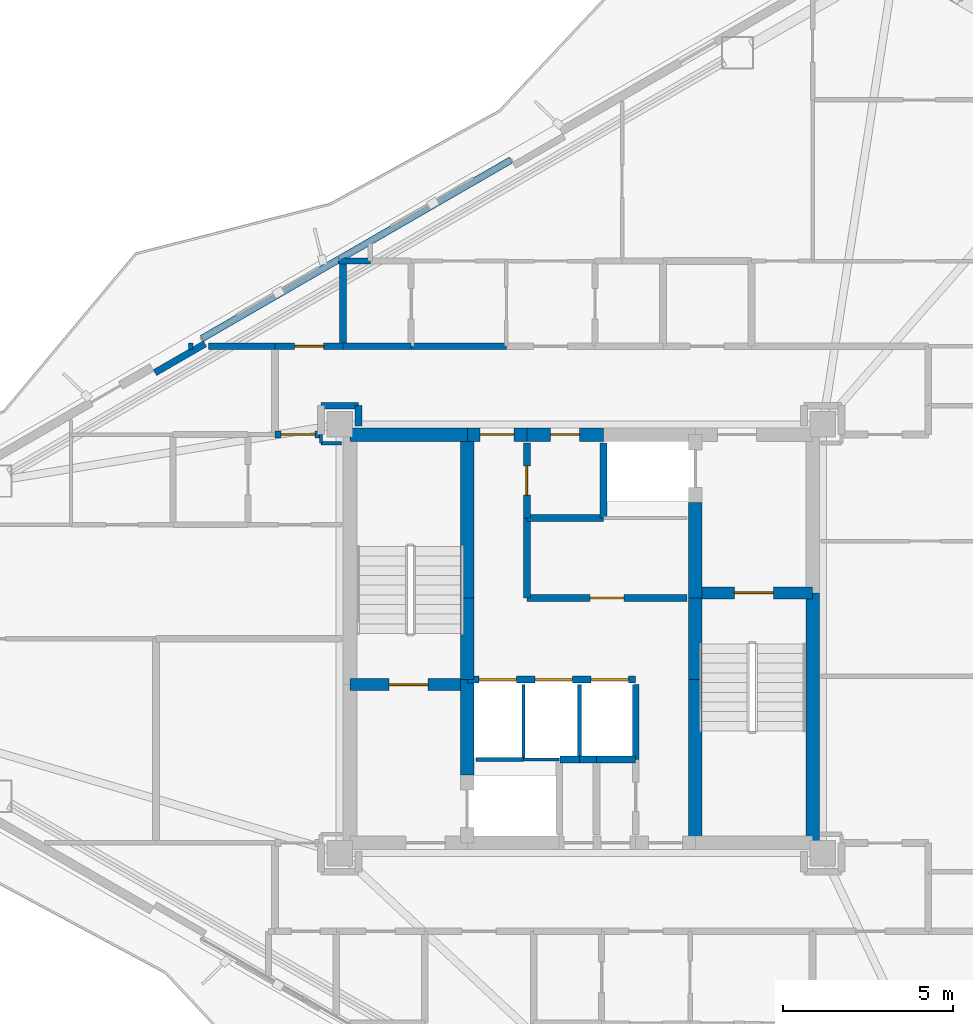
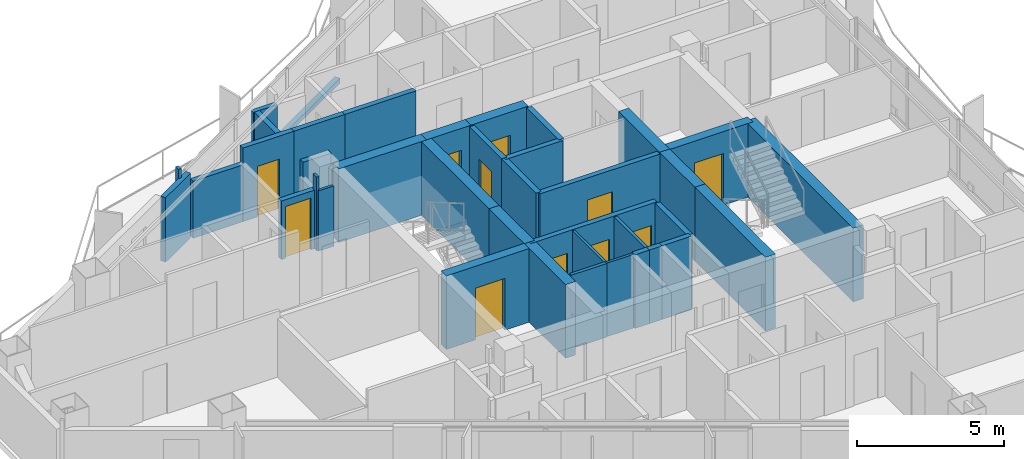
# One storey, part 14 of 19: 40 walls, 11 doors, 11 openings.
"""IFC4 building model written with IfcOpenShell, lengths in metres."""

from ifc_helpers import new_model, si_unit, direction, frame, frame_2d, origin, place, context, subcontext, project, spatial, rectangle, extrude, material, layer, layer_set, type_object, element, fill, save


model = new_model("IFC4")

# Units and contexts
model_context = context("Model", 3, precision=1e-05, world=origin(), true_north=direction((0.0, 1.0)))
body_context = subcontext(model_context, "Body", "Model", "MODEL_VIEW")
ifc_project = project(units=[si_unit("LENGTHUNIT", "METRE"), si_unit("AREAUNIT", "SQUARE_METRE"), si_unit("VOLUMEUNIT", "CUBIC_METRE"), si_unit("PLANEANGLEUNIT", "RADIAN"), si_unit("MASSUNIT", "GRAM", prefix="KILO")], contexts=[model_context])

# Site, building, storey
site_placement = place(None, origin())
site = spatial("IfcSite", under=ifc_project, at=site_placement, CompositionType="ELEMENT")
building_placement = place(site_placement, origin())
building = spatial("IfcBuilding", under=site, at=building_placement, Name="Mersakhor Tower and Convention Hall", CompositionType="ELEMENT")
storey_placement = place(building_placement, frame((0.0, 0.0, 131.10009765625)))
storey = spatial("IfcBuildingStorey", under=building, at=storey_placement, Name="L36", CompositionType="ELEMENT", Elevation=131.10009765625)

# Walls
ifc_material_1 = material(Name="Precast concrete C40/50", Category="concrete")
ifc_layer_1 = layer(ifc_material_1, 0.199951171875)
ifc_layer_set_1 = layer_set([ifc_layer_1], Name="Precast concrete C40/50")
wall_type_1 = type_object("IfcWallType", Name="WL-PAR-200", PredefinedType="PARAPET", material=ifc_layer_set_1)
wall_1_placement = place(storey_placement, frame((17.849853515625, 35.57666015625, 0.0), z_axis=(0.0, 0.0, 1.0), x_axis=(0.866026619769, 0.499997893847, 0.0)))
element("IfcWall", 1, at=wall_1_placement, inside=storey, type_object=wall_type_1, Name="L36 Curtain Wall Upstand Sill F1-B2", PredefinedType="PARAPET", context=body_context, shape_type="SweptSolid", body=[
    extrude(rectangle(XDim=10.48583984375, YDim=0.199951171875, at=frame_2d((5.242919921875, 0.0))), origin(), (0.0, 0.0, 1.0), 0.199951171875),
])
wall_2_placement = place(storey_placement, frame((16.467529296875, 34.57080078125, 0.0), z_axis=(0.0, 0.0, 1.0), x_axis=(0.865989465428, 0.500062241894, 0.0)))
element("IfcWall", 2, at=wall_2_placement, inside=storey, type_object=wall_type_1, Name="L36 Column Pier Cladding Wall F1-C1", PredefinedType="PARAPET", context=body_context, shape_type="SweptSolid", body=[
    extrude(rectangle(XDim=1.699951171875, YDim=0.199951171875, at=frame_2d((0.85009765625, 0.0))), origin(), (0.0, 0.0, 1.0), 2.679931640625),
])
ifc_material_2 = material(Name="Moisture-resistant acoustic drywall studwork", Category="other")
ifc_layer_2 = layer(ifc_material_2, 0.175048828125)
ifc_layer_set_2 = layer_set([ifc_layer_2], Name="Moisture-resistant acoustic drywall studwork")
wall_type_2 = type_object("IfcWallType", Name="WL-PLM-175", PredefinedType="PLUMBINGWALL", material=ifc_layer_set_2)
wall_3_placement = place(storey_placement, frame((21.8564453125, 37.85009765625, 0.0), z_axis=(0.0, 0.0, 1.0), x_axis=(1.0, 0.0, 0.0)))
element("IfcWall", 3, at=wall_3_placement, inside=storey, type_object=wall_type_2, Name="L36 Interior Partition Wall P-065", PredefinedType="PLUMBINGWALL", context=body_context, shape_type="SweptSolid", body=[
    extrude(rectangle(XDim=0.943603515625, YDim=0.175048828125, at=frame_2d((0.4716796875, 0.0))), origin(), (0.0, 0.0, 1.0), 2.364990234375),
])
ifc_material_3 = material(Name="Lightweight gypsum partition", Category="other")
ifc_layer_3 = layer(ifc_material_3, 0.10009765625)
ifc_layer_set_3 = layer_set([ifc_layer_3], Name="Lightweight gypsum partition")
wall_type_3 = type_object("IfcWallType", Name="WL-PRT-100", PredefinedType="PARTITIONING", material=ifc_layer_set_3)
wall_4_placement = place(storey_placement, frame((27.300048828125, 23.199951171875, 0.0), z_axis=(0.0, 0.0, 1.0), x_axis=(1.0, 0.0, 0.0)))
element("IfcWall", 4, at=wall_4_placement, inside=storey, type_object=wall_type_3, Name="L36 Interior Partition Wall P-002", PredefinedType="PARTITIONING", context=body_context, shape_type="SweptSolid", body=[
    extrude(rectangle(XDim=1.050048828125, YDim=0.10009765625, at=frame_2d((0.52490234375, 0.0))), origin(), (0.0, 0.0, 1.0), 3.059814453125),
])
wall_5_placement = place(storey_placement, frame((27.300048828125, 25.39990234375, 0.0), z_axis=(0.0, 0.0, 1.0), x_axis=(0.0, -1.0, 0.0)))
element("IfcWall", 5, at=wall_5_placement, inside=storey, type_object=wall_type_3, Name="L36 Interior Partition Wall P-006", PredefinedType="PARTITIONING", context=body_context, shape_type="SweptSolid", body=[
    extrude(rectangle(XDim=2.199951171875, YDim=0.10009765625, at=frame_2d((1.10009765625, 0.0))), origin(), (0.0, 0.0, 1.0), 3.059814453125),
])
wall_6_placement = place(storey_placement, frame((21.35009765625, 32.5, 0.0), z_axis=(0.0, 0.0, 1.0), x_axis=(1.0, 0.0, 0.0)))
element("IfcWall", 6, at=wall_6_placement, inside=storey, type_object=wall_type_3, Name="L36 Interior Partition Wall P-058", PredefinedType="PARTITIONING", context=body_context, shape_type="SweptSolid", body=[
    extrude(rectangle(XDim=0.599853515625, YDim=0.10009765625, at=frame_2d((0.2998046875, 0.0))), origin(), (0.0, 0.0, 1.0), 2.50830078125),
])
wall_7_placement = place(storey_placement, frame((21.35009765625, 32.75, 0.0), z_axis=(0.0, 0.0, 1.0), x_axis=(0.0, -1.0, 0.0)))
element("IfcWall", 7, at=wall_7_placement, inside=storey, type_object=wall_type_3, Name="L36 Interior Partition Wall P-062", PredefinedType="PARTITIONING", context=body_context, shape_type="SweptSolid", body=[
    extrude(rectangle(XDim=0.25, YDim=0.10009765625, at=frame_2d((0.125, 0.0))), origin(), (0.0, 0.0, 1.0), 3.059814453125),
])
ifc_material_4 = material(Name="Gypsum board acoustic partition", Category="other")
ifc_layer_4 = layer(ifc_material_4, 0.125)
ifc_layer_set_4 = layer_set([ifc_layer_4], Name="Gypsum board acoustic partition")
wall_type_4 = type_object("IfcWallType", Name="WL-PRT-125", PredefinedType="PARTITIONING", material=ifc_layer_set_4)
wall_8_placement = place(storey_placement, frame((25.89990234375, 23.199951171875, 0.0), z_axis=(0.0, 0.0, 1.0), x_axis=(1.0, 0.0, 0.0)))
element("IfcWall", 8, at=wall_8_placement, inside=storey, type_object=wall_type_4, Name="L36 Interior Partition Wall P-001", PredefinedType="PARTITIONING", context=body_context, shape_type="SweptSolid", body=[
    extrude(rectangle(XDim=1.400146484375, YDim=0.125, at=frame_2d((0.7001953125, 0.0))), origin(), (0.0, 0.0, 1.0), 3.059814453125),
])
wall_9_placement = place(storey_placement, frame((28.949951171875, 25.39990234375, 0.0), z_axis=(0.0, 0.0, 1.0), x_axis=(0.0, -1.0, 0.0)))
element("IfcWall", 9, at=wall_9_placement, inside=storey, type_object=wall_type_4, Name="L36 Interior Partition Wall P-007", PredefinedType="PARTITIONING", context=body_context, shape_type="SweptSolid", body=[
    extrude(rectangle(XDim=2.199951171875, YDim=0.125, at=frame_2d((1.10009765625, 0.0))), origin(), (0.0, 0.0, 1.0), 3.059814453125),
])

# Wall, openings, doors
ifc_material_5 = material(Name="Acoustic concrete blockwork and gypsum board", Category="masonry")
ifc_layer_5 = layer(ifc_material_5, 0.199951171875)
ifc_layer_set_5 = layer_set([ifc_layer_5], Name="Acoustic concrete blockwork and gypsum board")
wall_type_5 = type_object("IfcWallType", Name="WL-PRT-200", PredefinedType="PARTITIONING", material=ifc_layer_set_5)
wall_10_placement = place(storey_placement, frame((25.64990234375, 25.550048828125, 0.0), z_axis=(0.0, 0.0, 1.0), x_axis=(1.0, 0.0, 0.0)))
wall_10 = element("IfcWall", 10, at=wall_10_placement, inside=storey, type_object=wall_type_5, Name="L36 High-Rise Lift Bank Front Wall", PredefinedType="PARTITIONING", context=body_context, shape_type="SweptSolid", body=[
    extrude(rectangle(XDim=4.9501953125, YDim=0.199951171875, at=frame_2d((2.47509765625, 0.0))), origin(), (0.0, 0.0, 1.0), 3.059814453125),
])
opening_1_placement = place(wall_10_placement, frame((0.340087890625, 0.0, 0.0)))
opening_1 = element("IfcOpeningElement", 11, at=opening_1_placement, cuts=wall_10, Name="Opening LD-P4", PredefinedType="OPENING", context=body_context, shape_type="SweptSolid", body=[
    extrude(rectangle(XDim=1.10009765625, YDim=2.14990234375, at=frame_2d((0.550048828125, 1.074951171875))), frame((0.0, 0.10986328125, 0.0), z_axis=(0.0, -1.0, 0.0), x_axis=(1.0, 0.0, 0.0)), (0.0, 0.0, 1.0), 0.219970703125),
])
opening_2_placement = place(wall_10_placement, frame((1.989990234375, 0.0, 0.0)))
opening_2 = element("IfcOpeningElement", 12, at=opening_2_placement, cuts=wall_10, Name="Opening LD-P5", PredefinedType="OPENING", context=body_context, shape_type="SweptSolid", body=[
    extrude(rectangle(XDim=1.10009765625, YDim=2.14990234375, at=frame_2d((0.550048828125, 1.074951171875))), frame((0.0, 0.10986328125, 0.0), z_axis=(0.0, -1.0, 0.0), x_axis=(1.0, 0.0, 0.0)), (0.0, 0.0, 1.0), 0.219970703125),
])
opening_3_placement = place(wall_10_placement, frame((3.639892578125, 0.0, 0.0)))
opening_3 = element("IfcOpeningElement", 13, at=opening_3_placement, cuts=wall_10, Name="Opening LD-P6", PredefinedType="OPENING", context=body_context, shape_type="SweptSolid", body=[
    extrude(rectangle(XDim=1.10009765625, YDim=2.14990234375, at=frame_2d((0.550048828125, 1.074951171875))), frame((0.0, 0.10986328125, 0.0), z_axis=(0.0, -1.0, 0.0), x_axis=(1.0, 0.0, 0.0)), (0.0, 0.0, 1.0), 0.219970703125),
])
ifc_material_6 = material(Name="Fire-rated brushed stainless steel sliding landing door", Category="steel")
door_type_1 = type_object("IfcDoorType", Name="DR-LIFT-SLD-110x215", OperationType="NOTDEFINED", PredefinedType="DOOR", material=ifc_material_6)
door_1_placement = place(opening_1_placement, origin())
door_1 = element("IfcDoor", 14, at=door_1_placement, inside=storey, type_object=door_type_1, Name="L36 Lift Landing Door LD-P4", OperationType="SLIDING_TO_LEFT", OverallHeight=2.14990234375, OverallWidth=1.10009765625, PredefinedType="DOOR", context=body_context, shape_type="SweptSolid", body=[
    extrude(rectangle(XDim=1.10009765625, YDim=2.14990234375, at=frame_2d((0.550048828125, 1.074951171875))), frame((0.0, 0.02490234375, 0.0), z_axis=(0.0, -1.0, 0.0), x_axis=(1.0, 0.0, 0.0)), (0.0, 0.0, 1.0), 0.050048828125),
])
fill(opening_1, door_1)
door_2_placement = place(opening_2_placement, origin())
door_2 = element("IfcDoor", 15, at=door_2_placement, inside=storey, type_object=door_type_1, Name="L36 Lift Landing Door LD-P5", OperationType="SLIDING_TO_LEFT", OverallHeight=2.14990234375, OverallWidth=1.10009765625, PredefinedType="DOOR", context=body_context, shape_type="SweptSolid", body=[
    extrude(rectangle(XDim=1.10009765625, YDim=2.14990234375, at=frame_2d((0.550048828125, 1.074951171875))), frame((0.0, 0.02490234375, 0.0), z_axis=(0.0, -1.0, 0.0), x_axis=(1.0, 0.0, 0.0)), (0.0, 0.0, 1.0), 0.050048828125),
])
fill(opening_2, door_2)
door_3_placement = place(opening_3_placement, origin())
door_3 = element("IfcDoor", 16, at=door_3_placement, inside=storey, type_object=door_type_1, Name="L36 Lift Landing Door LD-P6", OperationType="SLIDING_TO_LEFT", OverallHeight=2.14990234375, OverallWidth=1.10009765625, PredefinedType="DOOR", context=body_context, shape_type="SweptSolid", body=[
    extrude(rectangle(XDim=1.10009765625, YDim=2.14990234375, at=frame_2d((0.550048828125, 1.074951171875))), frame((0.0, 0.02490234375, 0.0), z_axis=(0.0, -1.0, 0.0), x_axis=(1.0, 0.0, 0.0)), (0.0, 0.0, 1.0), 0.050048828125),
])
fill(opening_3, door_3)

# Walls
wall_11_placement = place(storey_placement, frame((29.64990234375, 30.300048828125, 0.0), z_axis=(0.0, 0.0, 1.0), x_axis=(0.0, 1.0, 0.0)))
element("IfcWall", 17, at=wall_11_placement, inside=storey, type_object=wall_type_5, Name="L36 Interior Partition Wall P-005", PredefinedType="PARTITIONING", context=body_context, shape_type="SweptSolid", body=[
    extrude(rectangle(XDim=2.199951171875, YDim=0.199951171875, at=frame_2d((1.10009765625, 0.0))), origin(), (0.0, 0.0, 1.0), 3.059814453125),
])
wall_12_placement = place(storey_placement, frame((28.949951171875, 23.199951171875, 0.0), z_axis=(0.0, 0.0, 1.0), x_axis=(-1.0, 0.0, 0.0)))
element("IfcWall", 18, at=wall_12_placement, inside=storey, type_object=wall_type_5, Name="L36 Interior Partition Wall P-008", PredefinedType="PARTITIONING", context=body_context, shape_type="SweptSolid", body=[
    extrude(rectangle(XDim=0.570068359375, YDim=0.199951171875, at=frame_2d((0.28515625, 0.0))), origin(), (0.0, 0.0, 1.0), 3.059814453125),
])
wall_13_placement = place(storey_placement, frame((30.60009765625, 25.39990234375, 0.0), z_axis=(0.0, 0.0, 1.0), x_axis=(0.0, -1.0, 0.0)))
element("IfcWall", 19, at=wall_13_placement, inside=storey, type_object=wall_type_5, Name="L36 Interior Partition Wall P-009", PredefinedType="PARTITIONING", context=body_context, shape_type="SweptSolid", body=[
    extrude(rectangle(XDim=2.199951171875, YDim=0.199951171875, at=frame_2d((1.10009765625, 0.0))), origin(), (0.0, 0.0, 1.0), 3.059814453125),
])
wall_14_placement = place(storey_placement, frame((30.60009765625, 23.199951171875, 0.0), z_axis=(0.0, 0.0, 1.0), x_axis=(-1.0, 0.0, 0.0)))
element("IfcWall", 20, at=wall_14_placement, inside=storey, type_object=wall_type_5, Name="L36 Interior Partition Wall P-010", PredefinedType="PARTITIONING", context=body_context, shape_type="SweptSolid", body=[
    extrude(rectangle(XDim=1.150146484375, YDim=0.199951171875, at=frame_2d((0.5751953125, 0.0))), origin(), (0.0, 0.0, 1.0), 3.059814453125),
])
wall_15_placement = place(storey_placement, frame((29.449951171875, 23.199951171875, 0.0), z_axis=(0.0, 0.0, 1.0), x_axis=(-1.0, 0.0, 0.0)))
element("IfcWall", 21, at=wall_15_placement, inside=storey, type_object=wall_type_5, Name="L36 Interior Partition Wall P-011", PredefinedType="PARTITIONING", context=body_context, shape_type="SweptSolid", body=[
    extrude(rectangle(XDim=0.5, YDim=0.199951171875, at=frame_2d((0.25, 0.0))), origin(), (0.0, 0.0, 1.0), 3.059814453125),
])

# Wall, opening, door
wall_16_placement = place(storey_placement, frame((27.39990234375, 32.5, 0.0), z_axis=(0.0, 0.0, 1.0), x_axis=(0.0, -1.0, 0.0)))
wall_16 = element("IfcWall", 22, at=wall_16_placement, inside=storey, type_object=wall_type_5, Name="L36 Interior Partition Wall P-013", PredefinedType="PARTITIONING", context=body_context, shape_type="SweptSolid", body=[
    extrude(rectangle(XDim=2.199951171875, YDim=0.199951171875, at=frame_2d((1.10009765625, 0.0))), origin(), (0.0, 0.0, 1.0), 3.059814453125),
])
opening_4_placement = place(wall_16_placement, frame((0.675048828125, 0.0, 0.0)))
opening_4 = element("IfcOpeningElement", 23, at=opening_4_placement, cuts=wall_16, Name="Opening SVD-01", PredefinedType="OPENING", context=body_context, shape_type="SweptSolid", body=[
    extrude(rectangle(XDim=0.85009765625, YDim=2.10009765625, at=frame_2d((0.425048828125, 1.050048828125))), frame((0.0, 0.10986328125, 0.0), z_axis=(0.0, -1.0, 0.0), x_axis=(1.0, 0.0, 0.0)), (0.0, 0.0, 1.0), 0.219970703125),
])
ifc_material_7 = material(Name="Fire-rated hardwood leaf and painted steel frame", Category="steel")
door_type_2 = type_object("IfcDoorType", Name="DR-INT-SVC-085x210", OperationType="NOTDEFINED", PredefinedType="DOOR", material=ifc_material_7)
door_4_placement = place(opening_4_placement, origin())
door_4 = element("IfcDoor", 24, at=door_4_placement, inside=storey, type_object=door_type_2, Name="L36 Central Passenger Lift Lobby to High-Zone Telecoms Room Door", OperationType="SINGLE_SWING_LEFT", OverallHeight=2.10009765625, OverallWidth=0.85009765625, PredefinedType="DOOR", context=body_context, shape_type="SweptSolid", body=[
    extrude(rectangle(XDim=0.85009765625, YDim=2.10009765625, at=frame_2d((0.425048828125, 1.050048828125))), frame((0.0, 0.02490234375, 0.0), z_axis=(0.0, -1.0, 0.0), x_axis=(1.0, 0.0, 0.0)), (0.0, 0.0, 1.0), 0.050048828125),
])
fill(opening_4, door_4)

# Wall
wall_17_placement = place(storey_placement, frame((27.39990234375, 30.300048828125, 0.0), z_axis=(0.0, 0.0, 1.0), x_axis=(0.0, -1.0, 0.0)))
element("IfcWall", 25, at=wall_17_placement, inside=storey, type_object=wall_type_5, Name="L36 Interior Partition Wall P-014", PredefinedType="PARTITIONING", context=body_context, shape_type="SweptSolid", body=[
    extrude(rectangle(XDim=2.35009765625, YDim=0.199951171875, at=frame_2d((1.175048828125, 0.0))), origin(), (0.0, 0.0, 1.0), 3.059814453125),
])

# Wall, opening, door
wall_18_placement = place(storey_placement, frame((27.39990234375, 27.949951171875, 0.0), z_axis=(0.0, 0.0, 1.0), x_axis=(1.0, 0.0, 0.0)))
wall_18 = element("IfcWall", 26, at=wall_18_placement, inside=storey, type_object=wall_type_5, Name="L36 Interior Partition Wall P-015", PredefinedType="PARTITIONING", context=body_context, shape_type="SweptSolid", body=[
    extrude(rectangle(XDim=4.7001953125, YDim=0.199951171875, at=frame_2d((2.35009765625, 0.0))), origin(), (0.0, 0.0, 1.0), 3.059814453125),
])
opening_5_placement = place(wall_18_placement, frame((1.85009765625, 0.0, 0.0)))
opening_5 = element("IfcOpeningElement", 27, at=opening_5_placement, cuts=wall_18, Name="Opening FD-01", PredefinedType="OPENING", context=body_context, shape_type="SweptSolid", body=[
    extrude(rectangle(XDim=1.0, YDim=2.14990234375, at=frame_2d((0.5, 1.074951171875))), frame((0.0, 0.10986328125, 0.0), z_axis=(0.0, -1.0, 0.0), x_axis=(1.0, 0.0, 0.0)), (0.0, 0.0, 1.0), 0.219970703125),
])
ifc_material_8 = material(Name="Fire-rated hardwood leaf and painted steel frame", Category="steel")
door_type_3 = type_object("IfcDoorType", Name="DR-INT-FLT-100x215", OperationType="NOTDEFINED", PredefinedType="DOOR", material=ifc_material_8)
door_5_placement = place(opening_5_placement, origin())
door_5 = element("IfcDoor", 28, at=door_5_placement, inside=storey, type_object=door_type_3, Name="L36 Central Passenger Lift Lobby to Shared Floor Tea Pantry Door", OperationType="SINGLE_SWING_RIGHT", OverallHeight=2.14990234375, OverallWidth=1.0, PredefinedType="DOOR", context=body_context, shape_type="SweptSolid", body=[
    extrude(rectangle(XDim=1.0, YDim=2.14990234375, at=frame_2d((0.5, 1.074951171875))), frame((0.0, 0.02490234375, 0.0), z_axis=(0.0, -1.0, 0.0), x_axis=(1.0, 0.0, 0.0)), (0.0, 0.0, 1.0), 0.050048828125),
])
fill(opening_5, door_5)

# Walls
wall_19_placement = place(storey_placement, frame((22.449951171875, 33.0, 0.0), z_axis=(0.0, 0.0, 1.0), x_axis=(0.0, 1.0, 0.0)))
element("IfcWall", 29, at=wall_19_placement, inside=storey, type_object=wall_type_5, Name="L36 Interior Partition Wall P-017", PredefinedType="PARTITIONING", context=body_context, shape_type="SweptSolid", body=[
    extrude(rectangle(XDim=0.60009765625, YDim=0.199951171875, at=frame_2d((0.300048828125, 0.0))), origin(), (0.0, 0.0, 1.0), 2.50830078125),
])
wall_20_placement = place(storey_placement, frame((22.449951171875, 33.60009765625, 0.0), z_axis=(0.0, 0.0, 1.0), x_axis=(-1.0, 0.0, 0.0)))
element("IfcWall", 30, at=wall_20_placement, inside=storey, type_object=wall_type_5, Name="L36 Interior Partition Wall P-018", PredefinedType="PARTITIONING", context=body_context, shape_type="SweptSolid", body=[
    extrude(rectangle(XDim=1.099853515625, YDim=0.199951171875, at=frame_2d((0.5498046875, 0.0))), origin(), (0.0, 0.0, 1.0), 3.059814453125),
])

# Wall, opening, door
wall_21_placement = place(storey_placement, frame((21.35009765625, 32.75, 0.0), z_axis=(0.0, 0.0, 1.0), x_axis=(-1.0, 0.0, 0.0)))
wall_21 = element("IfcWall", 31, at=wall_21_placement, inside=storey, type_object=wall_type_5, Name="L36 Interior Partition Wall P-020", PredefinedType="PARTITIONING", context=body_context, shape_type="SweptSolid", body=[
    extrude(rectangle(XDim=1.35009765625, YDim=0.199951171875, at=frame_2d((0.675048828125, 0.0))), origin(), (0.0, 0.0, 1.0), 2.4326171875),
])
opening_6_placement = place(wall_21_placement, frame((0.175048828125, 0.0, 0.0)))
opening_6 = element("IfcOpeningElement", 32, at=opening_6_placement, cuts=wall_21, Name="Opening FD-01", PredefinedType="OPENING", context=body_context, shape_type="SweptSolid", body=[
    extrude(rectangle(XDim=1.0, YDim=2.14990234375, at=frame_2d((0.5, 1.074951171875))), frame((0.0, 0.10986328125, 0.0), z_axis=(0.0, -1.0, 0.0), x_axis=(1.0, 0.0, 0.0)), (0.0, 0.0, 1.0), 0.219970703125),
])
door_6_placement = place(opening_6_placement, origin())
door_6 = element("IfcDoor", 33, at=door_6_placement, inside=storey, type_object=door_type_3, Name="L36 Apartment Entrance Door (Residential North Gallery Corridor to L36 Flat W4 Apartment Hall)", OperationType="SINGLE_SWING_RIGHT", OverallHeight=2.14990234375, OverallWidth=1.0, PredefinedType="DOOR", context=body_context, shape_type="SweptSolid", body=[
    extrude(rectangle(XDim=1.0, YDim=2.14990234375, at=frame_2d((0.5, 1.074951171875))), frame((0.0, 0.02490234375, 0.0), z_axis=(0.0, -1.0, 0.0), x_axis=(1.0, 0.0, 0.0)), (0.0, 0.0, 1.0), 0.050048828125),
])
fill(opening_6, door_6)

wall_22_placement = place(storey_placement, frame((20.0, 35.35009765625, 0.0), z_axis=(0.0, 0.0, 1.0), x_axis=(1.0, 0.0, 0.0)))
wall_22 = element("IfcWall", 34, at=wall_22_placement, inside=storey, type_object=wall_type_5, Name="L36 Interior Partition Wall P-022", PredefinedType="PARTITIONING", context=body_context, shape_type="SweptSolid", body=[
    extrude(rectangle(XDim=2.0, YDim=0.199951171875, at=frame_2d((1.0, 0.0))), origin(), (0.0, 0.0, 1.0), 3.059814453125),
])
opening_7_placement = place(wall_22_placement, frame((0.574951171875, 0.0, 0.0)))
opening_7 = element("IfcOpeningElement", 35, at=opening_7_placement, cuts=wall_22, Name="Opening SVD-01", PredefinedType="OPENING", context=body_context, shape_type="SweptSolid", body=[
    extrude(rectangle(XDim=0.85009765625, YDim=2.10009765625, at=frame_2d((0.425048828125, 1.050048828125))), frame((0.0, 0.10986328125, 0.0), z_axis=(0.0, -1.0, 0.0), x_axis=(1.0, 0.0, 0.0)), (0.0, 0.0, 1.0), 0.219970703125),
])
door_7_placement = place(opening_7_placement, origin())
door_7 = element("IfcDoor", 36, at=door_7_placement, inside=storey, type_object=door_type_2, Name="L36 Residential North Gallery Corridor to L36 North-West Household Store Room Door", OperationType="SINGLE_SWING_LEFT", OverallHeight=2.10009765625, OverallWidth=0.85009765625, PredefinedType="DOOR", context=body_context, shape_type="SweptSolid", body=[
    extrude(rectangle(XDim=0.85009765625, YDim=2.10009765625, at=frame_2d((0.425048828125, 1.050048828125))), frame((0.0, 0.02490234375, 0.0), z_axis=(0.0, -1.0, 0.0), x_axis=(1.0, 0.0, 0.0)), (0.0, 0.0, 1.0), 0.050048828125),
])
fill(opening_7, door_7)

# Walls
wall_23_placement = place(storey_placement, frame((22.0, 35.35009765625, 0.0), z_axis=(0.0, 0.0, 1.0), x_axis=(1.0, 0.0, 0.0)))
element("IfcWall", 37, at=wall_23_placement, inside=storey, type_object=wall_type_5, Name="L36 Interior Partition Wall P-023", PredefinedType="PARTITIONING", context=body_context, shape_type="SweptSolid", body=[
    extrude(rectangle(XDim=2.0, YDim=0.199951171875, at=frame_2d((1.0, 0.0))), origin(), (0.0, 0.0, 1.0), 3.059814453125),
])
wall_24_placement = place(storey_placement, frame((24.0, 35.35009765625, 0.0), z_axis=(0.0, 0.0, 1.0), x_axis=(1.0, 0.0, 0.0)))
element("IfcWall", 38, at=wall_24_placement, inside=storey, type_object=wall_type_5, Name="L36 Interior Partition Wall P-024", PredefinedType="PARTITIONING", context=body_context, shape_type="SweptSolid", body=[
    extrude(rectangle(XDim=2.800048828125, YDim=0.199951171875, at=frame_2d((1.39990234375, 0.0))), origin(), (0.0, 0.0, 1.0), 3.059814453125),
])
wall_25_placement = place(storey_placement, frame((22.0, 35.35009765625, 0.0), z_axis=(0.0, 0.0, 1.0), x_axis=(0.0, 1.0, 0.0)))
element("IfcWall", 39, at=wall_25_placement, inside=storey, type_object=wall_type_5, Name="L36 Interior Partition Wall P-067", PredefinedType="PARTITIONING", context=body_context, shape_type="SweptSolid", body=[
    extrude(rectangle(XDim=2.578857421875, YDim=0.199951171875, at=frame_2d((1.28955078125, 0.0))), origin(), (0.0, 0.0, 1.0), 2.364990234375),
])
wall_26_placement = place(storey_placement, frame((27.39990234375, 30.300048828125, 0.0), z_axis=(0.0, 0.0, 1.0), x_axis=(1.0, 0.0, 0.0)))
element("IfcWall", 40, at=wall_26_placement, inside=storey, type_object=wall_type_5, Name="L36 Interior Partition Wall P-085", PredefinedType="PARTITIONING", context=body_context, shape_type="SweptSolid", body=[
    extrude(rectangle(XDim=2.25, YDim=0.199951171875, at=frame_2d((1.125, 0.0))), origin(), (0.0, 0.0, 1.0), 3.059814453125),
])
wall_27_placement = place(storey_placement, frame((20.0, 35.35009765625, 0.0), z_axis=(0.0, 0.0, 1.0), x_axis=(-1.0, 0.0, 0.0)))
element("IfcWall", 41, at=wall_27_placement, inside=storey, type_object=wall_type_5, Name="L36 Interior Partition Wall P-089", PredefinedType="PARTITIONING", context=body_context, shape_type="SweptSolid", body=[
    extrude(rectangle(XDim=1.95751953125, YDim=0.199951171875, at=frame_2d((0.978759765625, 0.0))), origin(), (0.0, 0.0, 1.0), 2.364990234375),
])
wall_28_placement = place(storey_placement, frame((17.58203125, 35.35009765625, 0.0), z_axis=(0.0, 0.0, 1.0), x_axis=(-1.0, 0.0, 0.0)))
element("IfcWall", 42, at=wall_28_placement, inside=storey, type_object=wall_type_5, Name="L36 Interior Partition Wall P-090", PredefinedType="PARTITIONING", context=body_context, shape_type="SweptSolid", body=[
    extrude(rectangle(XDim=0.125, YDim=0.199951171875, at=frame_2d((0.0625, 0.0))), origin(), (0.0, 0.0, 1.0), 3.059814453125),
])

# Wall, opening, door
ifc_material_9 = material(Name="Concrete C50/60", Category="concrete")
ifc_layer_6 = layer(ifc_material_9, 0.35009765625)
ifc_layer_set_6 = layer_set([ifc_layer_6], Name="Concrete C50/60")
wall_type_6 = type_object("IfcWallType", Name="WL-SHR-350", PredefinedType="SHEAR", material=ifc_layer_set_6)
wall_29_placement = place(storey_placement, frame((22.199951171875, 25.39990234375, 0.0), z_axis=(0.0, 0.0, 1.0), x_axis=(1.0, 0.0, 0.0)))
wall_29 = element("IfcWall", 43, at=wall_29_placement, inside=storey, type_object=wall_type_6, Name="L36 Core Wall CS-ST1-S", PredefinedType="SHEAR", context=body_context, shape_type="SweptSolid", body=[
    extrude(rectangle(XDim=3.449951171875, YDim=0.35009765625, at=frame_2d((1.72509765625, 0.0))), origin(), (0.0, 0.0, 1.0), 3.059814453125),
])
opening_8_placement = place(wall_29_placement, frame((1.14990234375, 0.0, 0.0)))
opening_8 = element("IfcOpeningElement", 44, at=opening_8_placement, cuts=wall_29, Name="Opening SD-01", PredefinedType="OPENING", context=body_context, shape_type="SweptSolid", body=[
    extrude(rectangle(XDim=1.14990234375, YDim=2.14990234375, at=frame_2d((0.574951171875, 1.074951171875))), frame((0.0, 0.18505859375, 0.0), z_axis=(0.0, -1.0, 0.0), x_axis=(1.0, 0.0, 0.0)), (0.0, 0.0, 1.0), 0.3701171875),
])
ifc_material_10 = material(Name="Fire-rated hardwood leaf and painted steel frame", Category="steel")
door_type_4 = type_object("IfcDoorType", Name="DR-INT-STAIR-115x215", OperationType="NOTDEFINED", PredefinedType="DOOR", material=ifc_material_10)
door_8_placement = place(opening_8_placement, origin())
door_8 = element("IfcDoor", 45, at=door_8_placement, inside=storey, type_object=door_type_4, Name="L36 Exit Stair ST-1 Enclosure Door", OperationType="SINGLE_SWING_LEFT", OverallHeight=2.14990234375, OverallWidth=1.14990234375, PredefinedType="DOOR", context=body_context, shape_type="SweptSolid", body=[
    extrude(rectangle(XDim=1.14990234375, YDim=2.14990234375, at=frame_2d((0.574951171875, 1.074951171875))), frame((0.0, 0.02490234375, 0.0), z_axis=(0.0, -1.0, 0.0), x_axis=(1.0, 0.0, 0.0)), (0.0, 0.0, 1.0), 0.050048828125),
])
fill(opening_8, door_8)

wall_30_placement = place(storey_placement, frame((32.35009765625, 28.10009765625, 0.0), z_axis=(0.0, 0.0, 1.0), x_axis=(1.0, 0.0, 0.0)))
wall_30 = element("IfcWall", 46, at=wall_30_placement, inside=storey, type_object=wall_type_6, Name="L36 Core Wall CS-ST2-N", PredefinedType="SHEAR", context=body_context, shape_type="SweptSolid", body=[
    extrude(rectangle(XDim=3.449951171875, YDim=0.35009765625, at=frame_2d((1.72509765625, 0.0))), origin(), (0.0, 0.0, 1.0), 3.059814453125),
])
opening_9_placement = place(wall_30_placement, frame((1.14990234375, 0.0, 0.0)))
opening_9 = element("IfcOpeningElement", 47, at=opening_9_placement, cuts=wall_30, Name="Opening SD-01", PredefinedType="OPENING", context=body_context, shape_type="SweptSolid", body=[
    extrude(rectangle(XDim=1.14990234375, YDim=2.14990234375, at=frame_2d((0.574951171875, 1.074951171875))), frame((0.0, 0.18505859375, 0.0), z_axis=(0.0, -1.0, 0.0), x_axis=(1.0, 0.0, 0.0)), (0.0, 0.0, 1.0), 0.3701171875),
])
door_9_placement = place(opening_9_placement, origin())
door_9 = element("IfcDoor", 48, at=door_9_placement, inside=storey, type_object=door_type_4, Name="L36 Exit Stair ST-2 Enclosure Door", OperationType="SINGLE_SWING_RIGHT", OverallHeight=2.14990234375, OverallWidth=1.14990234375, PredefinedType="DOOR", context=body_context, shape_type="SweptSolid", body=[
    extrude(rectangle(XDim=1.14990234375, YDim=2.14990234375, at=frame_2d((0.574951171875, 1.074951171875))), frame((0.0, 0.02490234375, 0.0), z_axis=(0.0, -1.0, 0.0), x_axis=(1.0, 0.0, 0.0)), (0.0, 0.0, 1.0), 0.050048828125),
])
fill(opening_9, door_9)

# Wall
ifc_material_11 = material(Name="Concrete C60/75", Category="concrete")
ifc_layer_7 = layer(ifc_material_11, 0.39990234375)
ifc_layer_set_7 = layer_set([ifc_layer_7], Name="Concrete C60/75")
wall_type_7 = type_object("IfcWallType", Name="WL-SHR-400", PredefinedType="SHEAR", material=ifc_layer_set_7)
wall_31_placement = place(storey_placement, frame((22.199951171875, 32.75, 0.0), z_axis=(0.0, 0.0, 1.0), x_axis=(1.0, 0.0, 0.0)))
element("IfcWall", 49, at=wall_31_placement, inside=storey, type_object=wall_type_7, Name="L36 Core Wall CW-N1", PredefinedType="SHEAR", context=body_context, shape_type="SweptSolid", body=[
    extrude(rectangle(XDim=3.449951171875, YDim=0.39990234375, at=frame_2d((1.72509765625, 0.0))), origin(), (0.0, 0.0, 1.0), 3.059814453125),
])

# Wall, opening, door
wall_32_placement = place(storey_placement, frame((25.64990234375, 32.75, 0.0), z_axis=(0.0, 0.0, 1.0), x_axis=(1.0, 0.0, 0.0)))
wall_32 = element("IfcWall", 50, at=wall_32_placement, inside=storey, type_object=wall_type_7, Name="L36 Core Wall CW-N2A", PredefinedType="SHEAR", context=body_context, shape_type="SweptSolid", body=[
    extrude(rectangle(XDim=1.75, YDim=0.39990234375, at=frame_2d((0.875, 0.0))), origin(), (0.0, 0.0, 1.0), 3.059814453125),
])
opening_10_placement = place(wall_32_placement, frame((0.375, 0.0, 0.0)))
opening_10 = element("IfcOpeningElement", 51, at=opening_10_placement, cuts=wall_32, Name="Opening CFD-01", PredefinedType="OPENING", context=body_context, shape_type="SweptSolid", body=[
    extrude(rectangle(XDim=1.0, YDim=2.14990234375, at=frame_2d((0.5, 1.074951171875))), frame((0.0, 0.2099609375, 0.0), z_axis=(0.0, -1.0, 0.0), x_axis=(1.0, 0.0, 0.0)), (0.0, 0.0, 1.0), 0.419921875),
])
ifc_material_12 = material(Name="Fire-rated hardwood leaf and painted steel frame", Category="steel")
door_type_5 = type_object("IfcDoorType", Name="DR-CORE-FD-100x215", OperationType="NOTDEFINED", PredefinedType="DOOR", material=ifc_material_12)
door_10_placement = place(opening_10_placement, origin())
door_10 = element("IfcDoor", 52, at=door_10_placement, inside=storey, type_object=door_type_5, Name="L36 Lift Lobby North Corridor Door", OperationType="SINGLE_SWING_LEFT", OverallHeight=2.14990234375, OverallWidth=1.0, PredefinedType="DOOR", context=body_context, shape_type="SweptSolid", body=[
    extrude(rectangle(XDim=1.0, YDim=2.14990234375, at=frame_2d((0.5, 1.074951171875))), frame((0.0, 0.02490234375, 0.0), z_axis=(0.0, -1.0, 0.0), x_axis=(1.0, 0.0, 0.0)), (0.0, 0.0, 1.0), 0.050048828125),
])
fill(opening_10, door_10)

wall_33_placement = place(storey_placement, frame((27.39990234375, 32.75, 0.0), z_axis=(0.0, 0.0, 1.0), x_axis=(1.0, 0.0, 0.0)))
wall_33 = element("IfcWall", 53, at=wall_33_placement, inside=storey, type_object=wall_type_7, Name="L36 Core Wall CW-N2B", PredefinedType="SHEAR", context=body_context, shape_type="SweptSolid", body=[
    extrude(rectangle(XDim=2.25, YDim=0.39990234375, at=frame_2d((1.125, 0.0))), origin(), (0.0, 0.0, 1.0), 3.059814453125),
])
opening_11_placement = place(wall_33_placement, frame((0.699951171875, 0.0, 0.0)))
opening_11 = element("IfcOpeningElement", 54, at=opening_11_placement, cuts=wall_33, Name="Opening SVD-01", PredefinedType="OPENING", context=body_context, shape_type="SweptSolid", body=[
    extrude(rectangle(XDim=0.85009765625, YDim=2.10009765625, at=frame_2d((0.425048828125, 1.050048828125))), frame((0.0, 0.2099609375, 0.0), z_axis=(0.0, -1.0, 0.0), x_axis=(1.0, 0.0, 0.0)), (0.0, 0.0, 1.0), 0.419921875),
])
door_11_placement = place(opening_11_placement, origin())
door_11 = element("IfcDoor", 55, at=door_11_placement, inside=storey, type_object=door_type_2, Name="L36 Residential North Gallery Corridor to High-Zone Telecoms Room Door", OperationType="SINGLE_SWING_LEFT", OverallHeight=2.10009765625, OverallWidth=0.85009765625, PredefinedType="DOOR", context=body_context, shape_type="SweptSolid", body=[
    extrude(rectangle(XDim=0.85009765625, YDim=2.10009765625, at=frame_2d((0.425048828125, 1.050048828125))), frame((0.0, 0.02490234375, 0.0), z_axis=(0.0, -1.0, 0.0), x_axis=(1.0, 0.0, 0.0)), (0.0, 0.0, 1.0), 0.050048828125),
])
fill(opening_11, door_11)

# Walls
wall_34_placement = place(storey_placement, frame((35.800048828125, 28.10009765625, 0.0), z_axis=(0.0, 0.0, 1.0), x_axis=(0.0, -1.0, 0.0)))
element("IfcWall", 56, at=wall_34_placement, inside=storey, type_object=wall_type_7, Name="L36 Core Wall CW-E2", PredefinedType="SHEAR", context=body_context, shape_type="SweptSolid", body=[
    extrude(rectangle(XDim=7.35009765625, YDim=0.39990234375, at=frame_2d((3.675048828125, 0.0))), origin(), (0.0, 0.0, 1.0), 3.059814453125),
])
wall_35_placement = place(storey_placement, frame((25.64990234375, 22.75, 0.0), z_axis=(0.0, 0.0, 1.0), x_axis=(0.0, 1.0, 0.0)))
element("IfcWall", 57, at=wall_35_placement, inside=storey, type_object=wall_type_7, Name="L36 Core Wall CS-W-MID", PredefinedType="SHEAR", context=body_context, shape_type="SweptSolid", body=[
    extrude(rectangle(XDim=2.800048828125, YDim=0.39990234375, at=frame_2d((1.39990234375, 0.0))), origin(), (0.0, 0.0, 1.0), 3.059814453125),
])
wall_36_placement = place(storey_placement, frame((25.64990234375, 25.550048828125, 0.0), z_axis=(0.0, 0.0, 1.0), x_axis=(0.0, 1.0, 0.0)))
element("IfcWall", 58, at=wall_36_placement, inside=storey, type_object=wall_type_7, Name="L36 Core Wall CS-W-LOB", PredefinedType="SHEAR", context=body_context, shape_type="SweptSolid", body=[
    extrude(rectangle(XDim=2.39990234375, YDim=0.39990234375, at=frame_2d((1.199951171875, 0.0))), origin(), (0.0, 0.0, 1.0), 3.059814453125),
])
for number, where, z_axis, x_axis, name in (
    (59, (25.64990234375, 27.949951171875, 0.0), (0.0, 0.0, 1.0), (0.0, 1.0, 0.0), "L36 Core Wall CS-W-ST1"),
    (60, (32.35009765625, 20.75, 0.0), (0.0, 0.0, 1.0), (0.0, 1.0, 0.0), "L36 Core Wall CS-E-ST2"),
):
    element("IfcWall", number, at=place(storey_placement, frame(where, z_axis=z_axis, x_axis=x_axis)), inside=storey, type_object=wall_type_7, Name=name, PredefinedType="SHEAR", context=body_context, shape_type="SweptSolid", body=[
        extrude(rectangle(XDim=4.800048828125, YDim=0.39990234375, at=frame_2d((2.39990234375, 0.0))), origin(), (0.0, 0.0, 1.0), 3.059814453125),
    ])
wall_37_placement = place(storey_placement, frame((32.35009765625, 25.550048828125, 0.0), z_axis=(0.0, 0.0, 1.0), x_axis=(0.0, 1.0, 0.0)))
element("IfcWall", 61, at=wall_37_placement, inside=storey, type_object=wall_type_7, Name="L36 Core Wall CS-E-LOB", PredefinedType="SHEAR", context=body_context, shape_type="SweptSolid", body=[
    extrude(rectangle(XDim=2.39990234375, YDim=0.39990234375, at=frame_2d((1.199951171875, 0.0))), origin(), (0.0, 0.0, 1.0), 3.059814453125),
])
wall_38_placement = place(storey_placement, frame((32.35009765625, 27.949951171875, 0.0), z_axis=(0.0, 0.0, 1.0), x_axis=(0.0, 1.0, 0.0)))
element("IfcWall", 62, at=wall_38_placement, inside=storey, type_object=wall_type_7, Name="L36 Core Wall CS-E-MID", PredefinedType="SHEAR", context=body_context, shape_type="SweptSolid", body=[
    extrude(rectangle(XDim=2.800048828125, YDim=0.39990234375, at=frame_2d((1.39990234375, 0.0))), origin(), (0.0, 0.0, 1.0), 3.059814453125),
])

save(model, "model.ifc")
